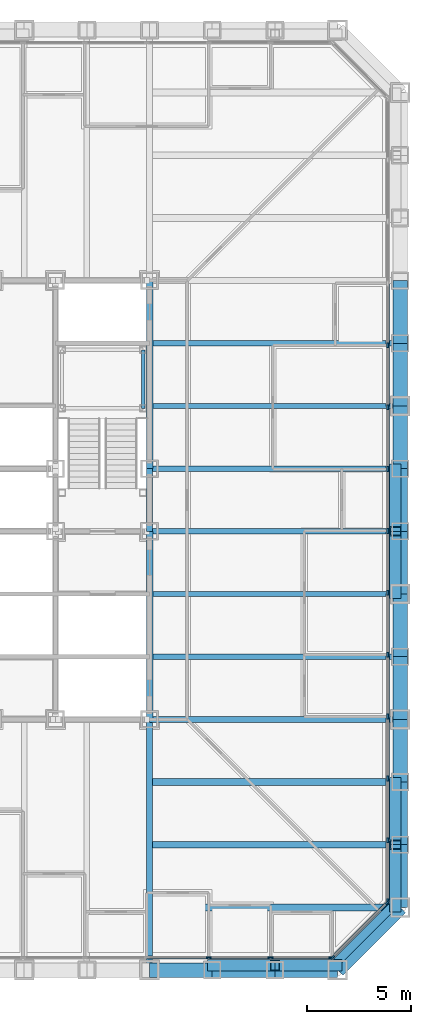
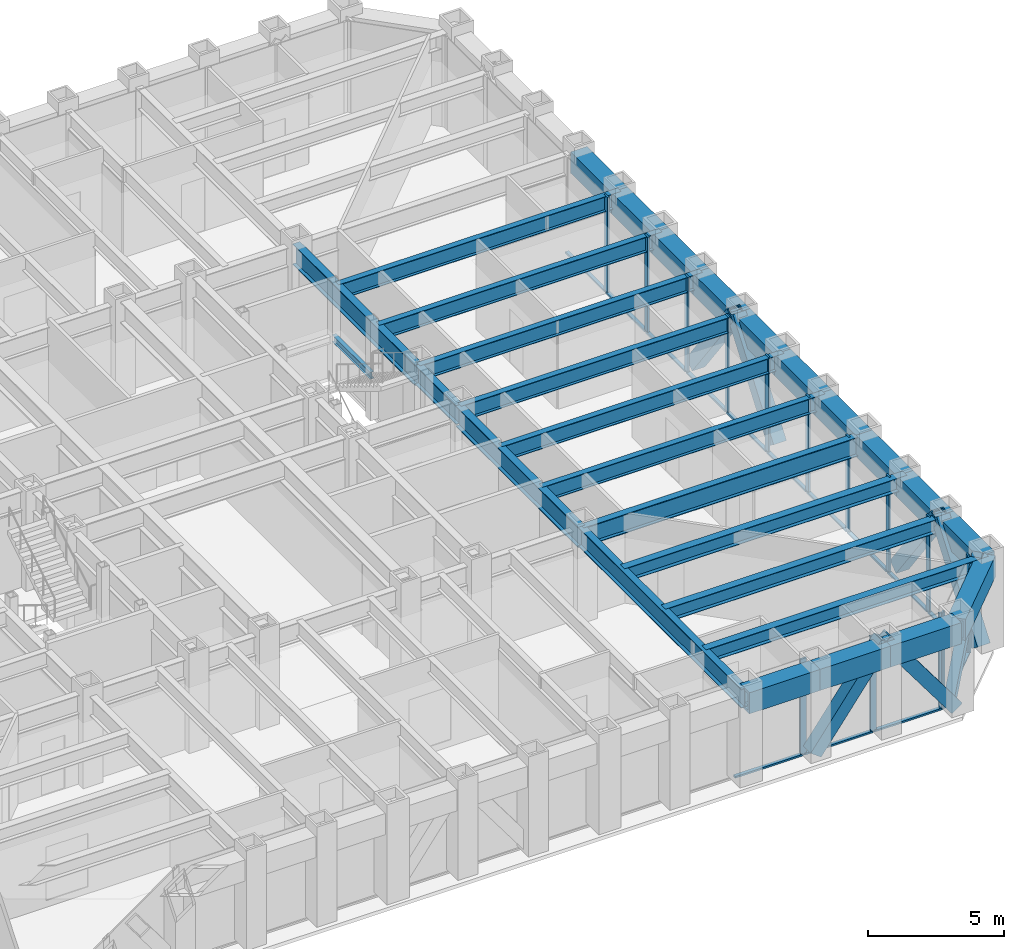
# One storey, part 4 of 17: 36 members, 29 beams, 3 elements without a shape of their own.
"""IFC4 building model written with IfcOpenShell, lengths in metres."""

from ifc_helpers import new_model, si_unit, direction, frame, origin, origin_2d, place, context, subcontext, project, spatial, rectangle, hollow_rectangle, i_section, extrude, material, layer, layer_set, material_profile, profile_set, type_object, element, aggregate, save


model = new_model("IFC4")

# Units and contexts
model_context = context("Model", 3, precision=1e-05, world=origin(), true_north=direction((0.0, 1.0)))
body_context = subcontext(model_context, "Body", "Model", "MODEL_VIEW")
ifc_project = project(units=[si_unit("LENGTHUNIT", "METRE"), si_unit("AREAUNIT", "SQUARE_METRE"), si_unit("VOLUMEUNIT", "CUBIC_METRE"), si_unit("PLANEANGLEUNIT", "RADIAN"), si_unit("MASSUNIT", "GRAM", prefix="KILO")], contexts=[model_context])

# Site, building, storey
site_placement = place(None, origin())
site = spatial("IfcSite", under=ifc_project, at=site_placement, CompositionType="ELEMENT")
building_placement = place(site_placement, origin())
building = spatial("IfcBuilding", under=site, at=building_placement, Name="Chuquiago Exchange Tower", CompositionType="ELEMENT")
storey_placement = place(building_placement, frame((0.0, 0.0, 87.300048828125)))
storey = spatial("IfcBuildingStorey", under=building, at=storey_placement, Name="L18", CompositionType="ELEMENT", Elevation=87.300048828125)

# Beams
ifc_material_1 = material(Name="Steel ASTM A992", Category="steel")
ifc_material_profile_1 = material_profile(ifc_material_1, i_section(OverallWidth=0.307373046875, OverallDepth=0.927001953125, WebThickness=0.01953125, FlangeThickness=0.031982421875, at=origin_2d()), Name="W36X194")
ifc_profile_set_1 = profile_set([ifc_material_profile_1], Name="Steel ASTM A992")
beam_type_1 = type_object("IfcBeamType", Name="B10 W36X194", PredefinedType="BEAM", material=ifc_profile_set_1)
for number, where, z_axis, x_axis, name in (
    (1, (33.0, 12.0, 3.576416015625), (0.0, 1.0, 0.0), (-1.0, 0.0, 0.0), "CB-L19-33_12-33_21"),
    (2, (33.0, 24.0, 3.576416015625), (0.0, 1.0, 0.0), (-1.0, 0.0, 0.0), "CB-L19-33_24-33_33"),
):
    element("IfcBeam", number, at=place(storey_placement, frame(where, z_axis=z_axis, x_axis=x_axis)), inside=storey, type_object=beam_type_1, Name=name, PredefinedType="BEAM", context=body_context, shape_type="SweptSolid", body=[
        extrude(i_section(OverallWidth=0.307373046875, OverallDepth=0.927001953125, WebThickness=0.01953125, FlangeThickness=0.031982421875, at=origin_2d()), origin(), (0.0, 0.0, 1.0), 9.0),
    ])
ifc_material_2 = material(Name="Steel ASTM A992", Category="steel")
ifc_material_profile_2 = material_profile(ifc_material_2, i_section(OverallWidth=0.2919921875, OverallDepth=0.8583984375, WebThickness=0.01708984375, FlangeThickness=0.031005859375, at=origin_2d()), Name="W33X169")
ifc_profile_set_2 = profile_set([ifc_material_profile_2], Name="Steel ASTM A992")
beam_type_2 = type_object("IfcBeamType", Name="B3 W33X169", PredefinedType="BEAM", material=ifc_profile_set_2)
beam_1_placement = place(storey_placement, frame((33.0, 21.0, 3.610595703125), z_axis=(0.0, 1.0, 0.0), x_axis=(-1.0, 0.0, 0.0)))
element("IfcBeam", 3, at=beam_1_placement, inside=storey, type_object=beam_type_2, Name="CB-L19-33_21-33_24", PredefinedType="BEAM", context=body_context, shape_type="SweptSolid", body=[
    extrude(i_section(OverallWidth=0.2919921875, OverallDepth=0.8583984375, WebThickness=0.01708984375, FlangeThickness=0.031005859375, at=origin_2d()), origin(), (0.0, 0.0, 1.0), 3.0),
])
ifc_material_3 = material(Name="Steel ASTM A992", Category="steel")
ifc_material_profile_3 = material_profile(ifc_material_3, i_section(OverallWidth=0.256591796875, OverallDepth=0.693359375, WebThickness=0.014404296875, FlangeThickness=0.023681640625, at=origin_2d()), Name="W27X114")
ifc_profile_set_3 = profile_set([ifc_material_profile_3], Name="Steel ASTM A992")
beam_type_3 = type_object("IfcBeamType", Name="B4 W27X114", PredefinedType="BEAM", material=ifc_profile_set_3)
for number, where, z_axis, x_axis, name in (
    (4, (33.0, 15.0, 3.693359375), (1.0, 0.0, 0.0), (0.0, 1.0, 0.0), "FB-L19-infill-33_15-45_15-0"),
    (5, (33.0, 18.0, 3.693359375), (1.0, 0.0, 0.0), (0.0, 1.0, 0.0), "FB-L19-infill-33_18-45_18-0"),
    (6, (33.0, 21.0, 3.693359375), (1.0, 0.0, 0.0), (0.0, 1.0, 0.0), "FB-L19-infill-33_21-45_21-0"),
    (7, (33.0, 24.0, 3.693359375), (1.0, 0.0, 0.0), (0.0, 1.0, 0.0), "FB-L19-infill-33_24-45_24-0"),
    (8, (33.0, 27.0, 3.693359375), (1.0, 0.0, 0.0), (0.0, 1.0, 0.0), "FB-L19-infill-33_27-45_27-0"),
    (9, (33.0, 30.0, 3.693359375), (1.0, 0.0, 0.0), (0.0, 1.0, 0.0), "FB-L19-infill-33_30-45_30-0"),
):
    element("IfcBeam", number, at=place(storey_placement, frame(where, z_axis=z_axis, x_axis=x_axis)), inside=storey, type_object=beam_type_3, Name=name, PredefinedType="BEAM", context=body_context, shape_type="SweptSolid", body=[
        extrude(i_section(OverallWidth=0.256591796875, OverallDepth=0.693359375, WebThickness=0.014404296875, FlangeThickness=0.023681640625, at=origin_2d()), origin(), (0.0, 0.0, 1.0), 12.0),
    ])
ifc_material_4 = material(Name="Steel ASTM A992", Category="steel")
ifc_material_profile_4 = material_profile(ifc_material_4, i_section(OverallWidth=0.3251953125, OverallDepth=0.6171875, WebThickness=0.013916015625, FlangeThickness=0.021484375, at=origin_2d()), Name="W24X117")
ifc_profile_set_4 = profile_set([ifc_material_profile_4], Name="Steel ASTM A992")
beam_type_4 = type_object("IfcBeamType", Name="B5 W24X117", PredefinedType="BEAM", material=ifc_profile_set_4)
for number, where, z_axis, x_axis, name in (
    (10, (33.0, 3.0, 3.7314453125), (1.0, 0.0, 0.0), (0.0, 1.0, 0.0), "FB-L19-corner-33_3-45_3-0"),
    (11, (33.0, 6.0, 3.7314453125), (1.0, 0.0, 0.0), (0.0, 1.0, 0.0), "FB-L19-corner-33_6-45_6-0"),
    (12, (33.0, 9.0, 3.7314453125), (1.0, 0.0, 0.0), (0.0, 1.0, 0.0), "FB-L19-corner-33_9-45_9-0"),
):
    element("IfcBeam", number, at=place(storey_placement, frame(where, z_axis=z_axis, x_axis=x_axis)), inside=storey, type_object=beam_type_4, Name=name, PredefinedType="BEAM", context=body_context, shape_type="SweptSolid", body=[
        extrude(i_section(OverallWidth=0.3251953125, OverallDepth=0.6171875, WebThickness=0.013916015625, FlangeThickness=0.021484375, at=origin_2d()), origin(), (0.0, 0.0, 1.0), 12.0),
    ])

# Curtain wall, members
ifc_material_5 = material(Name="Aluminium curtain wall system", Category="aluminium")
ifc_layer_1 = layer(ifc_material_5, 0.25)
ifc_layer_set_1 = layer_set([ifc_layer_1], Name="CW1 trading floor curtain wall")
curtain_wall_type_1 = type_object("IfcCurtainWallType", Name="CW1 trading floor curtain wall", PredefinedType="NOTDEFINED", material=ifc_layer_set_1)
curtain_wall_1_placement = place(storey_placement, origin())
curtain_wall_1 = element("IfcCurtainWall", 13, at=curtain_wall_1_placement, inside=storey, type_object=curtain_wall_type_1, Name="CW1 curtain wall L18", PredefinedType="NOTDEFINED")
ifc_material_6 = material(Name="Aluminium mullion, pale anodised", Category="aluminium")
ifc_material_profile_5 = material_profile(ifc_material_6, rectangle(XDim=0.074951171875, YDim=0.25, at=origin_2d()), Name="AL 75x250")
ifc_profile_set_5 = profile_set([ifc_material_profile_5], Name="Aluminium mullion, pale anodised")
member_type_1 = type_object("IfcMemberType", Name="CW1-M mullion 75x250", PredefinedType="MULLION", material=ifc_profile_set_5)
member_1_placement = place(storey_placement, frame((35.827880859375, 0.60009765625, -0.300048828125), z_axis=(0.0, 0.0, 1.0), x_axis=(0.0, 1.0, 0.0)))
member_1 = element("IfcMember", 14, at=member_1_placement, type_object=member_type_1, Name="CW1 mullion 12", PredefinedType="MULLION", context=body_context, shape_type="SweptSolid", body=[
    extrude(rectangle(XDim=0.074951171875, YDim=0.25, at=origin_2d()), origin(), (0.0, 0.0, 1.0), 4.340087890625),
])
member_2_placement = place(storey_placement, frame((38.789794921875, 0.60009765625, -0.300048828125), z_axis=(0.0, 0.0, 1.0), x_axis=(0.0, 1.0, 0.0)))
member_2 = element("IfcMember", 15, at=member_2_placement, type_object=member_type_1, Name="CW1 mullion 13", PredefinedType="MULLION", context=body_context, shape_type="SweptSolid", body=[
    extrude(rectangle(XDim=0.074951171875, YDim=0.25, at=origin_2d()), origin(), (0.0, 0.0, 1.0), 4.340087890625),
])
member_3_placement = place(storey_placement, frame((41.714111328125, 0.60009765625, -0.300048828125), z_axis=(0.0, 0.0, 1.0), x_axis=(0.0, 1.0, 0.0)))
member_3 = element("IfcMember", 16, at=member_3_placement, type_object=member_type_1, Name="CW1 mullion 14", PredefinedType="MULLION", context=body_context, shape_type="SweptSolid", body=[
    extrude(rectangle(XDim=0.074951171875, YDim=0.25, at=origin_2d()), origin(), (0.0, 0.0, 1.0), 4.340087890625),
])

curtain_wall_2_placement = place(storey_placement, origin())
curtain_wall_2 = element("IfcCurtainWall", 17, at=curtain_wall_2_placement, inside=storey, type_object=curtain_wall_type_1, Name="CW1 curtain wall L18", PredefinedType="NOTDEFINED")
member_4_placement = place(storey_placement, frame((44.39990234375, 3.285888671875, -0.300048828125), z_axis=(0.0, 0.0, 1.0), x_axis=(-1.0, 0.0, 0.0)))
member_4 = element("IfcMember", 18, at=member_4_placement, type_object=member_type_1, Name="CW1 mullion 1", PredefinedType="MULLION", context=body_context, shape_type="SweptSolid", body=[
    extrude(rectangle(XDim=0.074951171875, YDim=0.25, at=origin_2d()), origin(), (0.0, 0.0, 1.0), 4.340087890625),
])
member_5_placement = place(storey_placement, frame((44.39990234375, 6.210205078125, -0.300048828125), z_axis=(0.0, 0.0, 1.0), x_axis=(-1.0, 0.0, 0.0)))
member_5 = element("IfcMember", 19, at=member_5_placement, type_object=member_type_1, Name="CW1 mullion 2", PredefinedType="MULLION", context=body_context, shape_type="SweptSolid", body=[
    extrude(rectangle(XDim=0.074951171875, YDim=0.25, at=origin_2d()), origin(), (0.0, 0.0, 1.0), 4.340087890625),
])
member_6_placement = place(storey_placement, frame((44.39990234375, 9.172119140625, -0.300048828125), z_axis=(0.0, 0.0, 1.0), x_axis=(-1.0, 0.0, 0.0)))
member_6 = element("IfcMember", 20, at=member_6_placement, type_object=member_type_1, Name="CW1 mullion 3", PredefinedType="MULLION", context=body_context, shape_type="SweptSolid", body=[
    extrude(rectangle(XDim=0.074951171875, YDim=0.25, at=origin_2d()), origin(), (0.0, 0.0, 1.0), 4.340087890625),
])
member_7_placement = place(storey_placement, frame((44.39990234375, 12.1337890625, -0.300048828125), z_axis=(0.0, 0.0, 1.0), x_axis=(-1.0, 0.0, 0.0)))
member_7 = element("IfcMember", 21, at=member_7_placement, type_object=member_type_1, Name="CW1 mullion 4", PredefinedType="MULLION", context=body_context, shape_type="SweptSolid", body=[
    extrude(rectangle(XDim=0.074951171875, YDim=0.25, at=origin_2d()), origin(), (0.0, 0.0, 1.0), 4.340087890625),
])
member_8_placement = place(storey_placement, frame((44.39990234375, 15.095458984375, -0.300048828125), z_axis=(0.0, 0.0, 1.0), x_axis=(-1.0, 0.0, 0.0)))
member_8 = element("IfcMember", 22, at=member_8_placement, type_object=member_type_1, Name="CW1 mullion 5", PredefinedType="MULLION", context=body_context, shape_type="SweptSolid", body=[
    extrude(rectangle(XDim=0.074951171875, YDim=0.25, at=origin_2d()), origin(), (0.0, 0.0, 1.0), 4.340087890625),
])
member_9_placement = place(storey_placement, frame((44.39990234375, 18.057373046875, -0.300048828125), z_axis=(0.0, 0.0, 1.0), x_axis=(-1.0, 0.0, 0.0)))
member_9 = element("IfcMember", 23, at=member_9_placement, type_object=member_type_1, Name="CW1 mullion 6", PredefinedType="MULLION", context=body_context, shape_type="SweptSolid", body=[
    extrude(rectangle(XDim=0.074951171875, YDim=0.25, at=origin_2d()), origin(), (0.0, 0.0, 1.0), 4.340087890625),
])
member_10_placement = place(storey_placement, frame((44.39990234375, 21.01904296875, -0.300048828125), z_axis=(0.0, 0.0, 1.0), x_axis=(-1.0, 0.0, 0.0)))
member_10 = element("IfcMember", 24, at=member_10_placement, type_object=member_type_1, Name="CW1 mullion 7", PredefinedType="MULLION", context=body_context, shape_type="SweptSolid", body=[
    extrude(rectangle(XDim=0.074951171875, YDim=0.25, at=origin_2d()), origin(), (0.0, 0.0, 1.0), 4.340087890625),
])
member_11_placement = place(storey_placement, frame((44.39990234375, 23.98095703125, -0.300048828125), z_axis=(0.0, 0.0, 1.0), x_axis=(-1.0, 0.0, 0.0)))
member_11 = element("IfcMember", 25, at=member_11_placement, type_object=member_type_1, Name="CW1 mullion 8", PredefinedType="MULLION", context=body_context, shape_type="SweptSolid", body=[
    extrude(rectangle(XDim=0.074951171875, YDim=0.25, at=origin_2d()), origin(), (0.0, 0.0, 1.0), 4.340087890625),
])
member_12_placement = place(storey_placement, frame((44.39990234375, 26.942626953125, -0.300048828125), z_axis=(0.0, 0.0, 1.0), x_axis=(-1.0, 0.0, 0.0)))
member_12 = element("IfcMember", 26, at=member_12_placement, type_object=member_type_1, Name="CW1 mullion 9", PredefinedType="MULLION", context=body_context, shape_type="SweptSolid", body=[
    extrude(rectangle(XDim=0.074951171875, YDim=0.25, at=origin_2d()), origin(), (0.0, 0.0, 1.0), 4.340087890625),
])
member_13_placement = place(storey_placement, frame((44.39990234375, 29.904541015625, -0.300048828125), z_axis=(0.0, 0.0, 1.0), x_axis=(-1.0, 0.0, 0.0)))
member_13 = element("IfcMember", 27, at=member_13_placement, type_object=member_type_1, Name="CW1 mullion 10", PredefinedType="MULLION", context=body_context, shape_type="SweptSolid", body=[
    extrude(rectangle(XDim=0.074951171875, YDim=0.25, at=origin_2d()), origin(), (0.0, 0.0, 1.0), 4.340087890625),
])

# Member
ifc_material_7 = material(Name="Aluminium transom, pale anodised", Category="aluminium")
ifc_material_profile_6 = material_profile(ifc_material_7, rectangle(XDim=0.14990234375, YDim=0.074951171875, at=origin_2d()), Name="AL 150x75")
ifc_profile_set_6 = profile_set([ifc_material_profile_6], Name="Aluminium transom, pale anodised")
member_type_2 = type_object("IfcMemberType", Name="CW1-T transom 75x150", PredefinedType="MULLION", material=ifc_profile_set_6)
member_14_placement = place(storey_placement, frame((32.90380859375, 0.60009765625, -0.262451171875), z_axis=(1.0, 0.0, 0.0), x_axis=(0.0, 1.0, 0.0)))
member_14 = element("IfcMember", 28, at=member_14_placement, type_object=member_type_2, Name="CW1 transom 11.1", PredefinedType="MULLION", context=body_context, shape_type="SweptSolid", body=[
    extrude(rectangle(XDim=0.14990234375, YDim=0.074951171875, at=origin_2d()), origin(), (0.0, 0.0, 1.0), 2.88671875),
])

member_15_placement = place(storey_placement, frame((35.865478515625, 0.60009765625, -0.262451171875), z_axis=(1.0, 0.0, 0.0), x_axis=(0.0, 1.0, 0.0)))
member_15 = element("IfcMember", 29, at=member_15_placement, type_object=member_type_2, Name="CW1 transom 12.1", PredefinedType="MULLION", context=body_context, shape_type="SweptSolid", body=[
    extrude(rectangle(XDim=0.14990234375, YDim=0.074951171875, at=origin_2d()), origin(), (0.0, 0.0, 1.0), 2.88671875),
])

member_16_placement = place(storey_placement, frame((38.8271484375, 0.60009765625, -0.262451171875), z_axis=(1.0, 0.0, 0.0), x_axis=(0.0, 1.0, 0.0)))
member_16 = element("IfcMember", 30, at=member_16_placement, type_object=member_type_2, Name="CW1 transom 13.1", PredefinedType="MULLION", context=body_context, shape_type="SweptSolid", body=[
    extrude(rectangle(XDim=0.14990234375, YDim=0.074951171875, at=origin_2d()), origin(), (0.0, 0.0, 1.0), 2.849365234375),
])

aggregate(curtain_wall_1, [member_1, member_2, member_3, member_14, member_15, member_16])

member_17_placement = place(storey_placement, frame((44.39990234375, 3.323486328125, -0.262451171875), z_axis=(0.0, 1.0, 0.0), x_axis=(-1.0, 0.0, 0.0)))
member_17 = element("IfcMember", 31, at=member_17_placement, type_object=member_type_2, Name="CW1 transom 1.1", PredefinedType="MULLION", context=body_context, shape_type="SweptSolid", body=[
    extrude(rectangle(XDim=0.14990234375, YDim=0.074951171875, at=origin_2d()), origin(), (0.0, 0.0, 1.0), 2.849365234375),
])

member_18_placement = place(storey_placement, frame((44.39990234375, 6.247802734375, -0.262451171875), z_axis=(0.0, 1.0, 0.0), x_axis=(-1.0, 0.0, 0.0)))
member_18 = element("IfcMember", 32, at=member_18_placement, type_object=member_type_2, Name="CW1 transom 2.1", PredefinedType="MULLION", context=body_context, shape_type="SweptSolid", body=[
    extrude(rectangle(XDim=0.14990234375, YDim=0.074951171875, at=origin_2d()), origin(), (0.0, 0.0, 1.0), 2.88671875),
])

member_19_placement = place(storey_placement, frame((44.39990234375, 9.20947265625, -0.262451171875), z_axis=(0.0, 1.0, 0.0), x_axis=(-1.0, 0.0, 0.0)))
member_19 = element("IfcMember", 33, at=member_19_placement, type_object=member_type_2, Name="CW1 transom 3.1", PredefinedType="MULLION", context=body_context, shape_type="SweptSolid", body=[
    extrude(rectangle(XDim=0.14990234375, YDim=0.074951171875, at=origin_2d()), origin(), (0.0, 0.0, 1.0), 2.88671875),
])

member_20_placement = place(storey_placement, frame((44.39990234375, 12.17138671875, -0.262451171875), z_axis=(0.0, 1.0, 0.0), x_axis=(-1.0, 0.0, 0.0)))
member_20 = element("IfcMember", 34, at=member_20_placement, type_object=member_type_2, Name="CW1 transom 4.1", PredefinedType="MULLION", context=body_context, shape_type="SweptSolid", body=[
    extrude(rectangle(XDim=0.14990234375, YDim=0.074951171875, at=origin_2d()), origin(), (0.0, 0.0, 1.0), 2.88671875),
])

member_21_placement = place(storey_placement, frame((44.39990234375, 15.133056640625, -0.262451171875), z_axis=(0.0, 1.0, 0.0), x_axis=(-1.0, 0.0, 0.0)))
member_21 = element("IfcMember", 35, at=member_21_placement, type_object=member_type_2, Name="CW1 transom 5.1", PredefinedType="MULLION", context=body_context, shape_type="SweptSolid", body=[
    extrude(rectangle(XDim=0.14990234375, YDim=0.074951171875, at=origin_2d()), origin(), (0.0, 0.0, 1.0), 2.88671875),
])

member_22_placement = place(storey_placement, frame((44.39990234375, 18.0947265625, -0.262451171875), z_axis=(0.0, 1.0, 0.0), x_axis=(-1.0, 0.0, 0.0)))
member_22 = element("IfcMember", 36, at=member_22_placement, type_object=member_type_2, Name="CW1 transom 6.1", PredefinedType="MULLION", context=body_context, shape_type="SweptSolid", body=[
    extrude(rectangle(XDim=0.14990234375, YDim=0.074951171875, at=origin_2d()), origin(), (0.0, 0.0, 1.0), 2.886962890625),
])

member_23_placement = place(storey_placement, frame((44.39990234375, 21.056640625, -0.262451171875), z_axis=(0.0, 1.0, 0.0), x_axis=(-1.0, 0.0, 0.0)))
member_23 = element("IfcMember", 37, at=member_23_placement, type_object=member_type_2, Name="CW1 transom 7.1", PredefinedType="MULLION", context=body_context, shape_type="SweptSolid", body=[
    extrude(rectangle(XDim=0.14990234375, YDim=0.074951171875, at=origin_2d()), origin(), (0.0, 0.0, 1.0), 2.88671875),
])

member_24_placement = place(storey_placement, frame((44.39990234375, 24.018310546875, -0.262451171875), z_axis=(0.0, 1.0, 0.0), x_axis=(-1.0, 0.0, 0.0)))
member_24 = element("IfcMember", 38, at=member_24_placement, type_object=member_type_2, Name="CW1 transom 8.1", PredefinedType="MULLION", context=body_context, shape_type="SweptSolid", body=[
    extrude(rectangle(XDim=0.14990234375, YDim=0.074951171875, at=origin_2d()), origin(), (0.0, 0.0, 1.0), 2.886962890625),
])

member_25_placement = place(storey_placement, frame((44.39990234375, 26.980224609375, -0.262451171875), z_axis=(0.0, 1.0, 0.0), x_axis=(-1.0, 0.0, 0.0)))
member_25 = element("IfcMember", 39, at=member_25_placement, type_object=member_type_2, Name="CW1 transom 9.1", PredefinedType="MULLION", context=body_context, shape_type="SweptSolid", body=[
    extrude(rectangle(XDim=0.14990234375, YDim=0.074951171875, at=origin_2d()), origin(), (0.0, 0.0, 1.0), 2.88671875),
])

member_26_placement = place(storey_placement, frame((44.39990234375, 29.94189453125, -0.262451171875), z_axis=(0.0, 1.0, 0.0), x_axis=(-1.0, 0.0, 0.0)))
member_26 = element("IfcMember", 40, at=member_26_placement, type_object=member_type_2, Name="CW1 transom 10.1", PredefinedType="MULLION", context=body_context, shape_type="SweptSolid", body=[
    extrude(rectangle(XDim=0.14990234375, YDim=0.074951171875, at=origin_2d()), origin(), (0.0, 0.0, 1.0), 2.88671875),
])

aggregate(curtain_wall_2, [member_4, member_5, member_6, member_7, member_8, member_9, member_10, member_11, member_12, member_13, member_17, member_18, member_19, member_20, member_21, member_22, member_23, member_24, member_25, member_26])

# Curtain wall, members
ifc_material_8 = material(Name="Aluminium curtain wall system", Category="aluminium")
ifc_layer_2 = layer(ifc_material_8, 0.199951171875)
ifc_layer_set_2 = layer_set([ifc_layer_2], Name="CW3 facet curtain wall")
curtain_wall_type_2 = type_object("IfcCurtainWallType", Name="CW3 facet curtain wall", PredefinedType="NOTDEFINED", material=ifc_layer_set_2)
curtain_wall_3_placement = place(storey_placement, origin())
curtain_wall_3 = element("IfcCurtainWall", 41, at=curtain_wall_3_placement, inside=storey, type_object=curtain_wall_type_2, Name="CW3 curtain wall L18", PredefinedType="NOTDEFINED")
ifc_material_9 = material(Name="Aluminium mullion, pale anodised", Category="aluminium")
ifc_material_profile_7 = material_profile(ifc_material_9, rectangle(XDim=0.06494140625, YDim=0.199951171875, at=origin_2d()), Name="AL 65x200")
ifc_profile_set_7 = profile_set([ifc_material_profile_7], Name="Aluminium mullion, pale anodised")
member_type_3 = type_object("IfcMemberType", Name="CW3-M mullion 65x200", PredefinedType="MULLION", material=ifc_profile_set_7)
member_27_placement = place(storey_placement, frame((41.7744140625, 0.623046875, -0.300048828125), z_axis=(0.0, 0.0, 1.0), x_axis=(-0.707106781187, 0.707106781187, 0.0)))
member_27 = element("IfcMember", 42, at=member_27_placement, type_object=member_type_3, Name="CW3 mullion 1", PredefinedType="MULLION", context=body_context, shape_type="SweptSolid", body=[
    extrude(rectangle(XDim=0.06494140625, YDim=0.199951171875, at=origin_2d()), origin(), (0.0, 0.0, 1.0), 4.340087890625),
])
member_28_placement = place(storey_placement, frame((44.376953125, 3.2255859375, -0.300048828125), z_axis=(0.0, 0.0, 1.0), x_axis=(-0.707106781187, 0.707106781187, 0.0)))
member_28 = element("IfcMember", 43, at=member_28_placement, type_object=member_type_3, Name="CW3 mullion 2", PredefinedType="MULLION", context=body_context, shape_type="SweptSolid", body=[
    extrude(rectangle(XDim=0.06494140625, YDim=0.199951171875, at=origin_2d()), origin(), (0.0, 0.0, 1.0), 4.340087890625),
])
ifc_material_10 = material(Name="Aluminium transom, pale anodised", Category="aluminium")
ifc_material_profile_8 = material_profile(ifc_material_10, rectangle(XDim=0.139892578125, YDim=0.06494140625, at=origin_2d()), Name="AL 140x65")
ifc_profile_set_8 = profile_set([ifc_material_profile_8], Name="Aluminium transom, pale anodised")
member_type_4 = type_object("IfcMemberType", Name="CW3-T transom 65x140", PredefinedType="MULLION", material=ifc_profile_set_8)
member_29_placement = place(storey_placement, frame((41.79736328125, 0.64599609375, -0.267578125), z_axis=(0.707106781187, 0.707106781187, 0.0), x_axis=(-0.707106781187, 0.707106781187, 0.0)))
member_29 = element("IfcMember", 44, at=member_29_placement, type_object=member_type_4, Name="CW3 transom 1.1", PredefinedType="MULLION", context=body_context, shape_type="SweptSolid", body=[
    extrude(rectangle(XDim=0.139892578125, YDim=0.06494140625, at=origin_2d()), origin(), (0.0, 0.0, 1.0), 3.61572265625),
])
aggregate(curtain_wall_3, [member_27, member_28, member_29])

# Beams
ifc_material_11 = material(Name="Steel ASTM A992", Category="steel")
ifc_material_profile_9 = material_profile(ifc_material_11, i_section(OverallWidth=0.2919921875, OverallDepth=0.8583984375, WebThickness=0.01708984375, FlangeThickness=0.031005859375, at=origin_2d()), Name="W33X169")
ifc_profile_set_9 = profile_set([ifc_material_profile_9], Name="Steel ASTM A992")
beam_type_5 = type_object("IfcBeamType", Name="G2 W33X169", PredefinedType="BEAM", material=ifc_profile_set_9)
for number, where, z_axis, x_axis, name in (
    (45, (33.0, 12.0, 3.610595703125), (0.0, -1.0, 0.0), (1.0, 0.0, 0.0), "FB-L19-girder-33_12-33_-0-0"),
    (46, (33.0, 12.0, 3.610595703125), (1.0, 0.0, 0.0), (0.0, 1.0, 0.0), "FB-L19-girder-33_12-45_12-0"),
):
    element("IfcBeam", number, at=place(storey_placement, frame(where, z_axis=z_axis, x_axis=x_axis)), inside=storey, type_object=beam_type_5, Name=name, PredefinedType="BEAM", context=body_context, shape_type="SweptSolid", body=[
        extrude(i_section(OverallWidth=0.2919921875, OverallDepth=0.8583984375, WebThickness=0.01708984375, FlangeThickness=0.031005859375, at=origin_2d()), origin(), (0.0, 0.0, 1.0), 12.0),
    ])

# Member
ifc_material_12 = material(Name="Steel ASTM A500 Grade C", Category="steel")
ifc_material_profile_10 = material_profile(ifc_material_12, hollow_rectangle(XDim=0.406494140625, YDim=0.406494140625, WallThickness=0.0146484375, at=origin_2d()), Name="HSS16X16X5/8")
ifc_profile_set_10 = profile_set([ifc_material_profile_10], Name="Steel ASTM A500 Grade C")
member_type_5 = type_object("IfcMemberType", Name="LB4 HSS16X16X5/8", PredefinedType="BRACE", material=ifc_profile_set_10)
member_30_placement = place(storey_placement, frame((41.78662109375, 0.21337890625, 0.0), z_axis=(0.512077265487, 0.512077265487, 0.689604051861), x_axis=(-0.707106781187, 0.707106781187, 0.0)))
element("IfcMember", 47, at=member_30_placement, inside=storey, type_object=member_type_5, Name="LB-L18-42_0-45_3", PredefinedType="BRACE", context=body_context, shape_type="SweptSolid", body=[
    extrude(hollow_rectangle(XDim=0.406494140625, YDim=0.406494140625, WallThickness=0.0146484375, at=origin_2d()), origin(), (0.0, 0.0, 1.0), 5.8583984375),
])

# Beam
ifc_material_13 = material(Name="Steel ASTM A992", Category="steel")
ifc_material_profile_11 = material_profile(ifc_material_13, i_section(OverallWidth=0.164794921875, OverallDepth=0.309814453125, WebThickness=0.005859375, FlangeThickness=0.009765625, at=origin_2d()), Name="W12X26")
ifc_profile_set_11 = profile_set([ifc_material_profile_11], Name="Steel ASTM A992")
beam_type_6 = type_object("IfcBeamType", Name="LS1 W12X26", PredefinedType="BEAM", material=ifc_profile_set_11)
beam_2_placement = place(storey_placement, frame((32.68994140625, 26.889892578125, 1.89501953125), z_axis=(0.0, 1.0, 0.0), x_axis=(-1.0, 0.0, 0.0)))
element("IfcBeam", 48, at=beam_2_placement, inside=storey, type_object=beam_type_6, Name="Stair ST2 L18 landing 1 stringer", PredefinedType="BEAM", context=body_context, shape_type="SweptSolid", body=[
    extrude(i_section(OverallWidth=0.164794921875, OverallDepth=0.309814453125, WebThickness=0.005859375, FlangeThickness=0.009765625, at=origin_2d()), origin(), (0.0, 0.0, 1.0), 2.800048828125),
])

# Members
ifc_material_14 = material(Name="Steel ASTM A572 Grade 50", Category="steel")
ifc_material_profile_12 = material_profile(ifc_material_14, hollow_rectangle(XDim=0.550048828125, YDim=0.550048828125, WallThickness=0.044921875, at=origin_2d()), Name="BOX550X550X45")
ifc_profile_set_12 = profile_set([ifc_material_profile_12], Name="Steel ASTM A572 Grade 50")
member_type_6 = type_object("IfcMemberType", Name="MB1 BOX550X550X45", PredefinedType="BRACE", material=ifc_profile_set_12)
for number, where, z_axis, x_axis, name in (
    (49, (36.0, 0.22998046875, 0.0), (0.596173923302, 0.0, 0.802855312728), (0.0, 1.0, 0.0), "Mega diagonal L18 S face"),
    (50, (42.0, 0.22998046875, 0.0), (-0.596173923302, 0.0, 0.802855312728), (0.0, -1.0, 0.0), "Mega diagonal L18 S face"),
    (51, (44.77001953125, 3.0, 0.0), (0.0, 0.596173923302, 0.802855312728), (-1.0, 0.0, 0.0), "Mega diagonal L18 E face"),
    (52, (44.77001953125, 9.0, 0.0), (0.0, -0.596173923302, 0.802855312728), (1.0, 0.0, 0.0), "Mega diagonal L18 E face"),
    (53, (44.77001953125, 18.0, 0.0), (0.0, 0.596173923302, 0.802855312728), (-1.0, 0.0, 0.0), "Mega diagonal L18 E face"),
    (54, (44.77001953125, 24.0, 0.0), (0.0, -0.596173923302, 0.802855312728), (1.0, 0.0, 0.0), "Mega diagonal L18 E face"),
):
    element("IfcMember", number, at=place(storey_placement, frame(where, z_axis=z_axis, x_axis=x_axis)), inside=storey, type_object=member_type_6, Name=name, PredefinedType="BRACE", context=body_context, shape_type="SweptSolid", body=[
        extrude(hollow_rectangle(XDim=0.550048828125, YDim=0.550048828125, WallThickness=0.044921875, at=origin_2d()), origin(), (0.0, 0.0, 1.0), 5.031982421875),
    ])

# Beams
ifc_material_15 = material(Name="Steel ASTM A572 Grade 50", Category="steel")
ifc_material_profile_13 = material_profile(ifc_material_15, hollow_rectangle(XDim=0.699951171875, YDim=0.949951171875, WallThickness=0.10009765625, at=origin_2d()), Name="BOX950X700X100")
ifc_profile_set_13 = profile_set([ifc_material_profile_13], Name="Steel ASTM A572 Grade 50")
beam_type_7 = type_object("IfcBeamType", Name="SP5 BOX950X700X100", PredefinedType="SPANDREL", material=ifc_profile_set_13)
for number, where, z_axis, x_axis, name in (
    (55, (33.0, 0.0, 3.56494140625), (1.0, 0.0, 0.0), (0.0, 1.0, 0.0), "SPB-L19-33_0-36_0"),
    (56, (36.0, 0.0, 3.56494140625), (1.0, 0.0, 0.0), (0.0, 1.0, 0.0), "SPB-L19-36_0-39_0"),
    (57, (39.0, 0.0, 3.56494140625), (1.0, 0.0, 0.0), (0.0, 1.0, 0.0), "SPB-L19-39_0-42_0"),
):
    element("IfcBeam", number, at=place(storey_placement, frame(where, z_axis=z_axis, x_axis=x_axis)), inside=storey, type_object=beam_type_7, Name=name, PredefinedType="SPANDREL", context=body_context, shape_type="SweptSolid", body=[
        extrude(hollow_rectangle(XDim=0.699951171875, YDim=0.949951171875, WallThickness=0.10009765625, at=origin_2d()), origin(), (0.0, 0.0, 1.0), 3.0),
    ])
beam_3_placement = place(storey_placement, frame((42.0, 0.0, 3.56494140625), z_axis=(0.707106781187, 0.707106781187, 0.0), x_axis=(-0.707106781187, 0.707106781187, 0.0)))
element("IfcBeam", 58, at=beam_3_placement, inside=storey, type_object=beam_type_7, Name="SPB-L19-42_0-45_3", PredefinedType="SPANDREL", context=body_context, shape_type="SweptSolid", body=[
    extrude(hollow_rectangle(XDim=0.699951171875, YDim=0.949951171875, WallThickness=0.10009765625, at=origin_2d()), origin(), (0.0, 0.0, 1.0), 4.24267578125),
])
for number, where, z_axis, x_axis, name in (
    (59, (45.0, 3.0, 3.56494140625), (0.0, 1.0, 0.0), (-1.0, 0.0, 0.0), "SPB-L19-45_3-45_6"),
    (60, (45.0, 6.0, 3.56494140625), (0.0, 1.0, 0.0), (-1.0, 0.0, 0.0), "SPB-L19-45_6-45_9"),
    (61, (45.0, 9.0, 3.56494140625), (0.0, 1.0, 0.0), (-1.0, 0.0, 0.0), "SPB-L19-45_9-45_12"),
    (62, (45.0, 12.0, 3.56494140625), (0.0, 1.0, 0.0), (-1.0, 0.0, 0.0), "SPB-L19-45_12-45_15"),
    (63, (45.0, 15.0, 3.56494140625), (0.0, 1.0, 0.0), (-1.0, 0.0, 0.0), "SPB-L19-45_15-45_18"),
    (64, (45.0, 18.0, 3.56494140625), (0.0, 1.0, 0.0), (-1.0, 0.0, 0.0), "SPB-L19-45_18-45_21"),
    (65, (45.0, 21.0, 3.56494140625), (0.0, 1.0, 0.0), (-1.0, 0.0, 0.0), "SPB-L19-45_21-45_24"),
    (66, (45.0, 24.0, 3.56494140625), (0.0, 1.0, 0.0), (-1.0, 0.0, 0.0), "SPB-L19-45_24-45_27"),
    (67, (45.0, 27.0, 3.56494140625), (0.0, 1.0, 0.0), (-1.0, 0.0, 0.0), "SPB-L19-45_27-45_30"),
    (68, (45.0, 30.0, 3.56494140625), (0.0, 1.0, 0.0), (-1.0, 0.0, 0.0), "SPB-L19-45_30-45_33"),
):
    element("IfcBeam", number, at=place(storey_placement, frame(where, z_axis=z_axis, x_axis=x_axis)), inside=storey, type_object=beam_type_7, Name=name, PredefinedType="SPANDREL", context=body_context, shape_type="SweptSolid", body=[
        extrude(hollow_rectangle(XDim=0.699951171875, YDim=0.949951171875, WallThickness=0.10009765625, at=origin_2d()), origin(), (0.0, 0.0, 1.0), 3.0),
    ])

save(model, "model.ifc")
